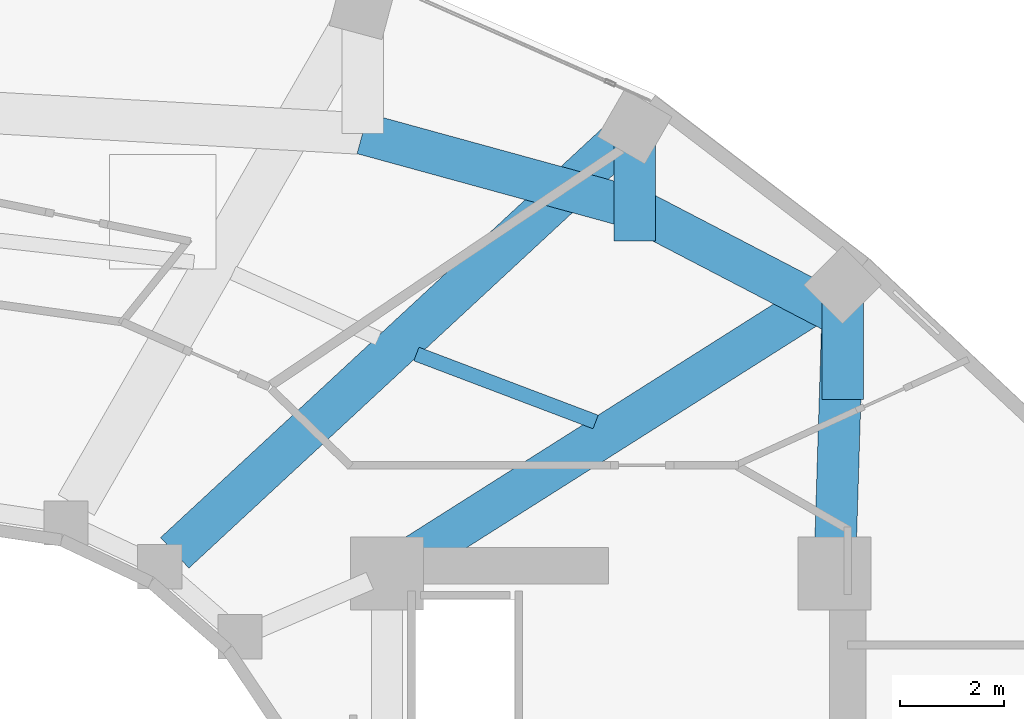
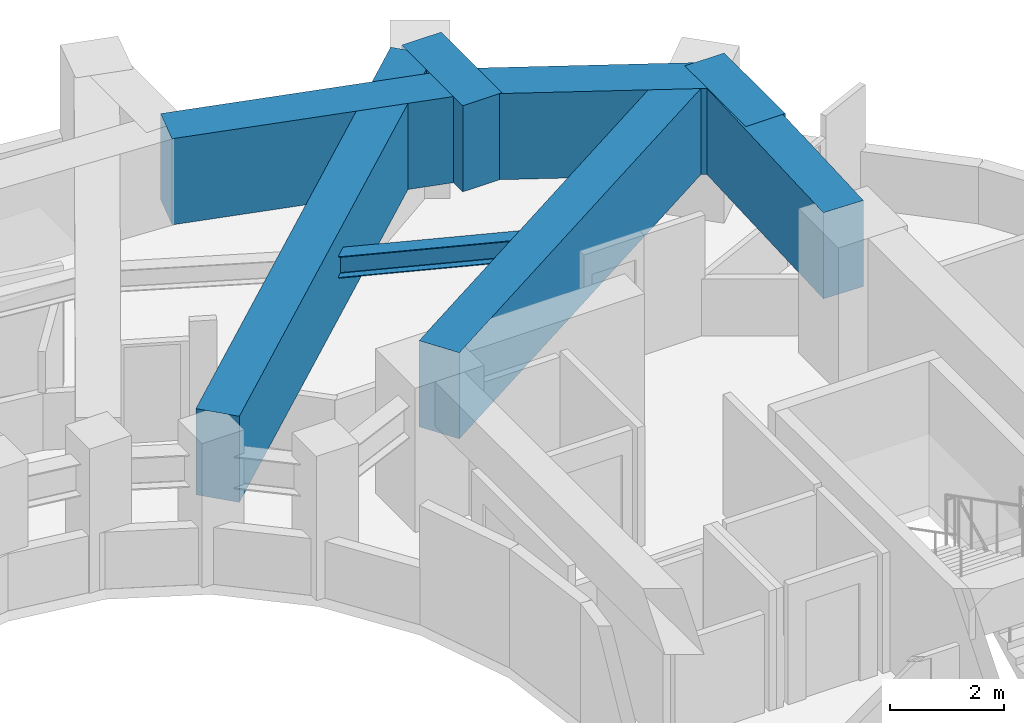
# One storey, part 5 of 16: 8 beams.
"""IFC4 building model written with IfcOpenShell, lengths in metres."""

import ifcopenshell
import ifcopenshell.guid

model = None  # the IFC model being written
_history = None  # IfcOwnerHistory: only IFC2X3 demands one
_inside = {}  # id of a spatial element -> (the spatial element, [elements in it])
_under = {}  # id of a project, library or spatial element -> (it, [spatial elements below it])
_declared = {}  # id of a project -> (the project, [libraries it declares])
_typed = {}  # id of a type object -> (the type object, [elements of that type])
_made_of = {}  # id of a material, layer set ... -> (it, [elements and type objects made of it])


def new_model(schema):
    """Start an empty IFC model of exactly this schema.

    Asked for "IFC4X3", IfcOpenShell would pick the latest addendum, in which some entities
    have other attributes; the version numbers below select the first issue.
    IFC2X3 requires an IfcOwnerHistory on every rooted entity: one is made here for all.
    """
    global model, _history
    if schema == "IFC4X3":
        model = ifcopenshell.file(schema_version=(4, 3, 0, 0))
    else:
        model = ifcopenshell.file(schema=schema)
    _inside.clear()
    _under.clear()
    _declared.clear()
    _typed.clear()
    _made_of.clear()
    _history = None
    if model.schema == "IFC2X3":
        org = make("IfcOrganization", Name="unknown")
        user = make(
            "IfcPersonAndOrganization",
            ThePerson=make("IfcPerson", FamilyName="unknown"),
            TheOrganization=org,
        )
        app = make(
            "IfcApplication",
            ApplicationDeveloper=org,
            Version="unknown",
            ApplicationFullName="unknown",
            ApplicationIdentifier="unknown",
        )
        _history = make(
            "IfcOwnerHistory",
            OwningUser=user,
            OwningApplication=app,
            ChangeAction="ADDED",
            CreationDate=0,
        )
    return model


def make(cls, **values):
    """One entity of the class cls with the attributes given. An attribute that is None is left unset."""
    return model.create_entity(
        cls, **{name: value for name, value in values.items() if value is not None}
    )


def rooted(cls, **values):
    """An entity with a GlobalId (a new one), such as an element, a storey or a relation."""
    return make(cls, GlobalId=ifcopenshell.guid.new(), OwnerHistory=_history, **values)


def si_unit(unit_type, name, prefix=None):
    """IfcSIUnit, for example si_unit("LENGTHUNIT", "METRE", prefix="MILLI")."""
    return make("IfcSIUnit", UnitType=unit_type, Prefix=prefix, Name=name)


def assignment(units):
    """IfcUnitAssignment: the units of a project."""
    return None if units is None else make("IfcUnitAssignment", Units=units)


def point(xyz):
    """IfcCartesianPoint."""
    return None if xyz is None else make("IfcCartesianPoint", Coordinates=xyz)


def direction(xyz):
    """IfcDirection."""
    return None if xyz is None else make("IfcDirection", DirectionRatios=xyz)


def frame(location, z_axis=None, x_axis=None):
    """IfcAxis2Placement3D, a coordinate frame: its origin and axes. An axis left out is left unset."""
    return make(
        "IfcAxis2Placement3D",
        Location=point(location),
        Axis=direction(z_axis),
        RefDirection=direction(x_axis),
    )


def frame_2d(location, x_axis=None):
    """IfcAxis2Placement2D, a coordinate frame in the plane: its origin and x axis."""
    return make(
        "IfcAxis2Placement2D", Location=point(location), RefDirection=direction(x_axis)
    )


def origin():
    """The frame at (0, 0, 0) with its axes left unset."""
    return frame((0.0, 0.0, 0.0))


def origin_2d():
    """The frame at (0, 0) in the plane with its x axis left unset."""
    return frame_2d((0.0, 0.0))


def place(relative_to, where):
    """IfcLocalPlacement: puts the frame where relative to a parent placement (None: the world)."""
    return make(
        "IfcLocalPlacement", PlacementRelTo=relative_to, RelativePlacement=where
    )


def context(
    kind, dimensions, precision=None, world=None, true_north=None, identifier=None
):
    """IfcGeometricRepresentationContext, for example the 3D "Model" context."""
    return make(
        "IfcGeometricRepresentationContext",
        ContextIdentifier=identifier,
        ContextType=kind,
        CoordinateSpaceDimension=dimensions,
        Precision=precision,
        WorldCoordinateSystem=world,
        TrueNorth=true_north,
    )


def subcontext(parent, identifier, kind, view, scale=None):
    """IfcGeometricRepresentationSubContext, for example "Body" below "Model"."""
    return make(
        "IfcGeometricRepresentationSubContext",
        ContextIdentifier=identifier,
        ContextType=kind,
        ParentContext=parent,
        TargetScale=scale,
        TargetView=view,
    )


def project(units=None, contexts=None):
    """IfcProject with its units and contexts."""
    return rooted(
        "IfcProject",
        Name="project",
        RepresentationContexts=contexts,
        UnitsInContext=assignment(units),
    )


def spatial(cls, under=None, at=None, **own):
    """A site, building, storey or space (cls), placed at a placement, below another one or the project."""
    s = rooted(cls, ObjectPlacement=at, **own)
    if under is not None:
        _under.setdefault(under.id(), (under, []))[1].append(s)
    return s


def profile(cls, at=None, kind="AREA", **sizes):
    """A parametric profile (cls). Its sizes go by their IFC names, for example OverallWidth=200.0."""
    return make(cls, ProfileType=kind, Position=at, **sizes)


def rectangle(**sizes):
    """IfcRectangleProfileDef."""
    return profile("IfcRectangleProfileDef", **sizes)


def i_section(**sizes):
    """IfcIShapeProfileDef."""
    return profile("IfcIShapeProfileDef", **sizes)


def extrude(swept, where, along, depth):
    """IfcExtrudedAreaSolid: the profile swept, set in the frame where, extruded along a direction by depth."""
    return make(
        "IfcExtrudedAreaSolid",
        SweptArea=swept,
        Position=where,
        ExtrudedDirection=direction(along),
        Depth=depth,
    )


def shape(context_of_items, identifier, shape_type, items):
    """IfcShapeRepresentation: the items that make up one representation, for example the "Body"."""
    return make(
        "IfcShapeRepresentation",
        ContextOfItems=context_of_items,
        RepresentationIdentifier=identifier,
        RepresentationType=shape_type,
        Items=items,
    )


def material(Name=None, Category=None):
    """IfcMaterial."""
    return make("IfcMaterial", Name=Name, Category=Category)


def material_profile(
    of_material, cross_section, Name=None, Category=None, Priority=None
):
    """IfcMaterialProfile: a cross section and its material."""
    return make(
        "IfcMaterialProfile",
        Name=Name,
        Material=of_material,
        Profile=cross_section,
        Priority=Priority,
        Category=Category,
    )


def profile_set(profiles, Name=None, composite=None):
    """IfcMaterialProfileSet."""
    return make(
        "IfcMaterialProfileSet",
        Name=Name,
        MaterialProfiles=profiles,
        CompositeProfile=composite,
    )


def made_of(thing, what):
    """Note that an element or type object is made of a material, layer set ...; save() writes the relation."""
    if what is not None:
        _made_of.setdefault(what.id(), (what, []))[1].append(thing)
    return thing


def type_object(cls, material=None, **own):
    """A type object (cls), such as IfcWallType, which elements share."""
    return made_of(rooted(cls, **own), material)


def element(
    cls,
    number,
    at=None,
    inside=None,
    cuts=None,
    type_object=None,
    material=None,
    context=None,
    identifier="Body",
    shape_type=None,
    held_by="IfcProductDefinitionShape",
    body=None,
    shapes=None,
    **own,
):
    """One element of the class cls, such as IfcWall. Its Tag is "e" and its number.

    at: its placement. inside: the storey or other place that contains it. cuts: it is an
    opening in that element (IfcRelVoidsElement). A single representation is given by context,
    identifier, shape_type and body (its items); several are given by shapes. held_by: the class
    of the entity that holds the representations. save() writes the other relations.
    """
    e = rooted(cls, Tag="e%d" % number, ObjectPlacement=at, **own)
    if body is not None:
        shapes = [shape(context, identifier, shape_type, body)]
    if shapes is not None:
        e.Representation = make(held_by, Representations=shapes)
    if inside is not None:
        _inside.setdefault(inside.id(), (inside, []))[1].append(e)
    if cuts is not None:
        rooted(
            "IfcRelVoidsElement", RelatingBuildingElement=cuts, RelatedOpeningElement=e
        )
    if type_object is not None:
        _typed.setdefault(type_object.id(), (type_object, []))[1].append(e)
    return made_of(e, material)


def aggregate(whole, parts):
    """IfcRelAggregates: a whole, such as a stair, and the parts it consists of."""
    return rooted("IfcRelAggregates", RelatingObject=whole, RelatedObjects=parts)


def save(model, path):
    """Write the relations noted so far, then the file.

    IfcRelAggregates (storeys below a building ...), IfcRelContainedInSpatialStructure (elements
    in a storey), IfcRelDefinesByType, IfcRelAssociatesMaterial and IfcRelDeclares: one each for
    every whole, place, type object, material and project.
    """
    for whole, parts in _under.values():
        aggregate(whole, parts)
    for where, things in _inside.values():
        rooted(
            "IfcRelContainedInSpatialStructure",
            RelatedElements=things,
            RelatingStructure=where,
        )
    for kind, things in _typed.values():
        rooted("IfcRelDefinesByType", RelatedObjects=things, RelatingType=kind)
    for what, things in _made_of.values():
        rooted("IfcRelAssociatesMaterial", RelatedObjects=things, RelatingMaterial=what)
    for by, libraries in _declared.values():
        rooted("IfcRelDeclares", RelatingContext=by, RelatedDefinitions=libraries)
    model.write(path)


model = new_model("IFC4")

# Units and contexts
model_context = context("Model", 3, precision=1e-05, world=origin(), true_north=direction((0.0, 1.0)))
body_context = subcontext(model_context, "Body", "Model", "MODEL_VIEW")
ifc_project = project(units=[si_unit("LENGTHUNIT", "METRE"), si_unit("AREAUNIT", "SQUARE_METRE"), si_unit("VOLUMEUNIT", "CUBIC_METRE"), si_unit("PLANEANGLEUNIT", "RADIAN"), si_unit("MASSUNIT", "GRAM", prefix="KILO")], contexts=[model_context])

# Site, building, storey
site_placement = place(None, origin())
site = spatial("IfcSite", under=ifc_project, at=site_placement, CompositionType="ELEMENT")
building_placement = place(site_placement, origin())
building = spatial("IfcBuilding", under=site, at=building_placement, Name="Solvane Sanctuary Tower", CompositionType="ELEMENT")
storey_placement = place(building_placement, frame((0.0, 0.0, 119.699951171875)))
storey = spatial("IfcBuildingStorey", under=building, at=storey_placement, Name="L36", CompositionType="ELEMENT", Elevation=119.699951171875)

# Beams
ifc_material_1 = material(Name="Steel ASTM A992 Grade 50", Category="steel")
ifc_material_profile_1 = material_profile(ifc_material_1, i_section(OverallWidth=0.280029296875, OverallDepth=0.462890625, WebThickness=0.0107421875, FlangeThickness=0.017333984375, FilletRadius=0.013916015625, at=origin_2d()), Name="W18X76")
ifc_profile_set_1 = profile_set([ifc_material_profile_1], Name="Steel ASTM A992 Grade 50")
beam_type_1 = type_object("IfcBeamType", Name="Beam B-SEC-JOIST W18X76", PredefinedType="JOIST", material=ifc_profile_set_1)
beam_1_placement = place(storey_placement, frame((40.66357421875, 34.41650390625, 2.366455078125), z_axis=(0.935089219038, -0.354412404465, 0.0), x_axis=(0.354412404465, 0.935089219038, 0.0)))
element("IfcBeam", 1, at=beam_1_placement, inside=storey, type_object=beam_type_1, Name="L36 Secondary Circumferential Joist 02-01", PredefinedType="JOIST", context=body_context, shape_type="SweptSolid", body=[
    extrude(i_section(OverallWidth=0.280029296875, OverallDepth=0.462890625, WebThickness=0.0107421875, FlangeThickness=0.017333984375, FilletRadius=0.013916015625, at=origin_2d()), origin(), (0.0, 0.0, 1.0), 3.6826171875),
])
ifc_material_2 = material(Name="Concrete C70/85", Category="concrete")
ifc_material_profile_2 = material_profile(ifc_material_2, rectangle(XDim=0.800048828125, YDim=1.85009765625, at=origin_2d()), Name="RC800X1850")
ifc_profile_set_2 = profile_set([ifc_material_profile_2], Name="Concrete C70/85")
beam_type_2 = type_object("IfcBeamType", Name="Beam B-XFER-BLK RC800X1850", PredefinedType="BEAM", material=ifc_profile_set_2)
beam_2_placement = place(storey_placement, frame((40.404052734375, 30.392578125, 2.175048828125), z_axis=(0.844858725229, 0.534989471303, 0.0), x_axis=(-0.534989471303, 0.844858725229, 0.0)))
element("IfcBeam", 2, at=beam_2_placement, inside=storey, type_object=beam_type_2, Name="L36 Block-Shift Radial Transfer Girder 01A", PredefinedType="BEAM", context=body_context, shape_type="SweptSolid", body=[
    extrude(rectangle(XDim=0.800048828125, YDim=1.85009765625, at=origin_2d()), origin(), (0.0, 0.0, 1.0), 9.555419921875),
])
beam_3_placement = place(storey_placement, frame((48.85302734375, 35.69287109375, 2.175048828125), z_axis=(0.0, -1.0, 0.0), x_axis=(1.0, 0.0, 0.0)))
element("IfcBeam", 3, at=beam_3_placement, inside=storey, type_object=beam_type_2, Name="L36 Block-Shift Transfer Tie 01B", PredefinedType="BEAM", context=body_context, shape_type="SweptSolid", body=[
    extrude(rectangle(XDim=0.800048828125, YDim=1.85009765625, at=origin_2d()), origin(), (0.0, 0.0, 1.0), 2.150146484375),
])
beam_4_placement = place(storey_placement, frame((36.019775390625, 30.59521484375, 2.175048828125), z_axis=(0.733470457191, 0.679721331449, 0.0), x_axis=(-0.679721331449, 0.733470457191, 0.0)))
element("IfcBeam", 4, at=beam_4_placement, inside=storey, type_object=beam_type_2, Name="L36 Block-Shift Radial Transfer Girder 02A", PredefinedType="BEAM", context=body_context, shape_type="SweptSolid", body=[
    extrude(rectangle(XDim=0.800048828125, YDim=1.85009765625, at=origin_2d()), origin(), (0.0, 0.0, 1.0), 11.60546875),
])
beam_5_placement = place(storey_placement, frame((44.8583984375, 38.736083984375, 2.175048828125), z_axis=(0.0, -1.0, 0.0), x_axis=(1.0, 0.0, 0.0)))
element("IfcBeam", 5, at=beam_5_placement, inside=storey, type_object=beam_type_2, Name="L36 Block-Shift Transfer Tie 02B", PredefinedType="BEAM", context=body_context, shape_type="SweptSolid", body=[
    extrude(rectangle(XDim=0.800048828125, YDim=1.85009765625, at=origin_2d()), origin(), (0.0, 0.0, 1.0), 2.14990234375),
])
beam_6_placement = place(storey_placement, frame((39.62939453125, 38.652099609375, 2.175048828125), z_axis=(0.964365802426, -0.264572483661, 0.0), x_axis=(0.264572483661, 0.964365802426, 0.0)))
element("IfcBeam", 6, at=beam_6_placement, inside=storey, type_object=beam_type_2, Name="L36 Perimeter Step Transfer Ring NTC03-NTC02", PredefinedType="BEAM", context=body_context, shape_type="SweptSolid", body=[
    extrude(rectangle(XDim=0.800048828125, YDim=1.85009765625, at=origin_2d()), origin(), (0.0, 0.0, 1.0), 5.422119140625),
])
beam_7_placement = place(storey_placement, frame((44.8583984375, 37.217529296875, 2.175048828125), z_axis=(0.887022336415, -0.46172651505, 0.0), x_axis=(0.46172651505, 0.887022336415, 0.0)))
element("IfcBeam", 7, at=beam_7_placement, inside=storey, type_object=beam_type_2, Name="L36 Perimeter Step Transfer Ring NTC02-NTC01", PredefinedType="BEAM", context=body_context, shape_type="SweptSolid", body=[
    extrude(rectangle(XDim=0.800048828125, YDim=1.85009765625, at=origin_2d()), origin(), (0.0, 0.0, 1.0), 4.50341796875),
])
beam_8_placement = place(storey_placement, frame((48.85302734375, 35.13818359375, 2.175048828125), z_axis=(-0.030966851139, -0.999520412063, 0.0), x_axis=(0.999520412063, -0.030966851139, 0.0)))
element("IfcBeam", 8, at=beam_8_placement, inside=storey, type_object=beam_type_2, Name="L36 Perimeter Step Transfer Ring NTC01-CE3", PredefinedType="BEAM", context=body_context, shape_type="SweptSolid", body=[
    extrude(rectangle(XDim=0.800048828125, YDim=1.85009765625, at=origin_2d()), origin(), (0.0, 0.0, 1.0), 4.58056640625),
])

save(model, "model.ifc")
